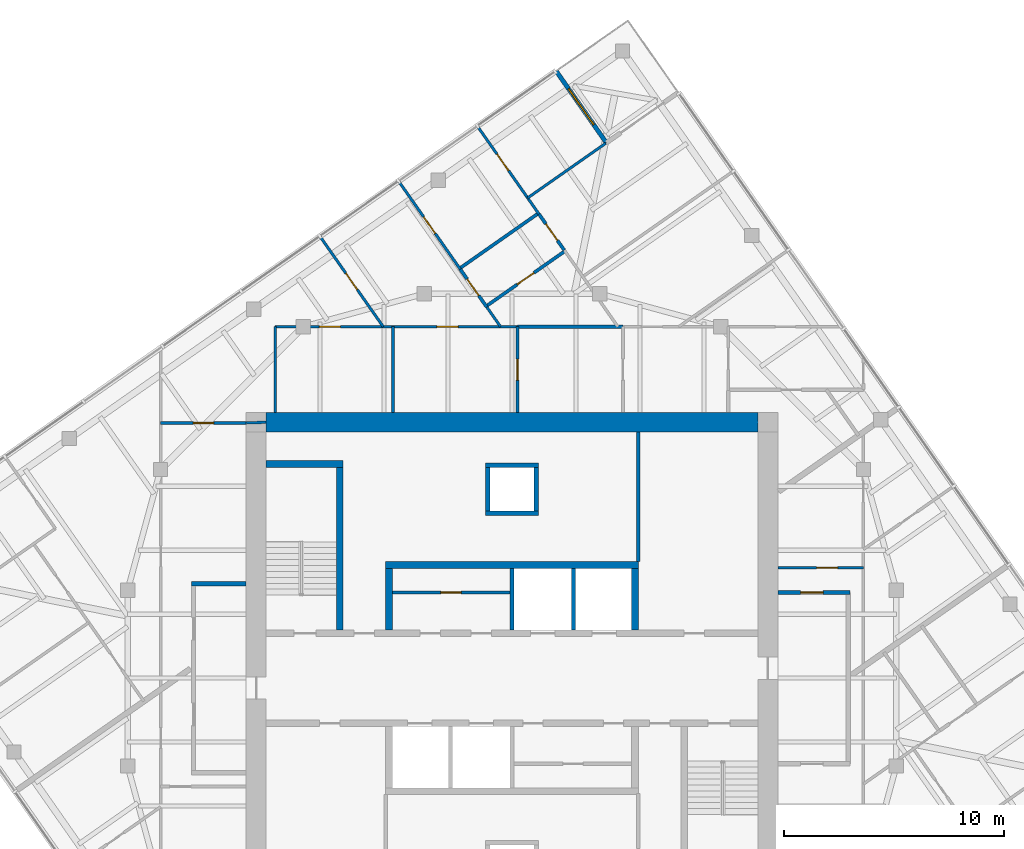
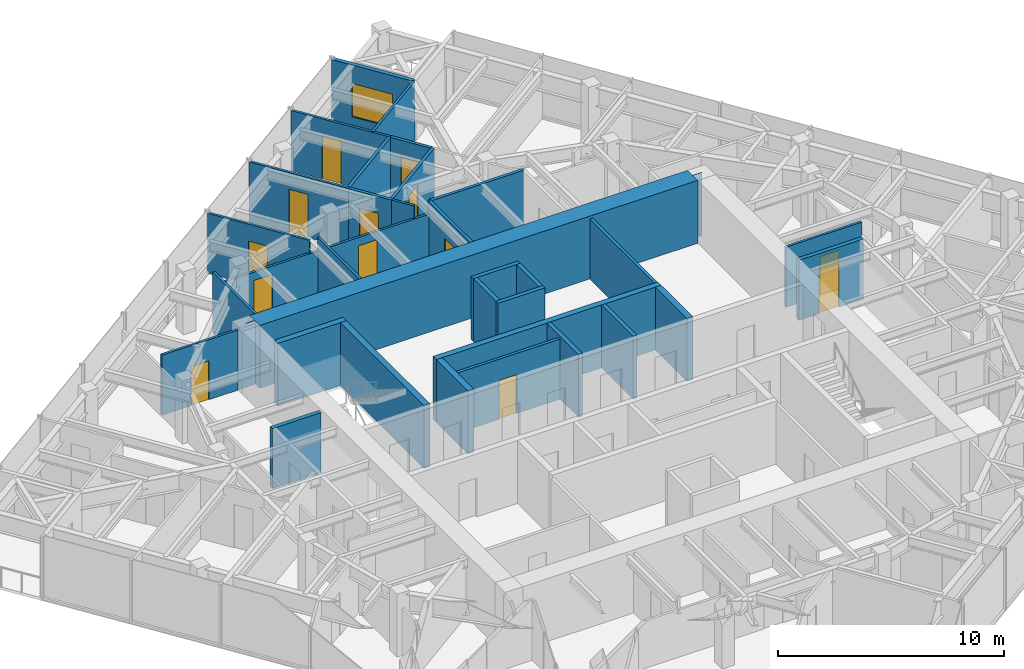
# One storey, part 10 of 12: 34 walls, 13 doors, 1 window, 14 openings.
"""IFC4 building model written with IfcOpenShell, lengths in metres."""

import ifcopenshell
import ifcopenshell.guid

model = None  # the IFC model being written
_history = None  # IfcOwnerHistory: only IFC2X3 demands one
_inside = {}  # id of a spatial element -> (the spatial element, [elements in it])
_under = {}  # id of a project, library or spatial element -> (it, [spatial elements below it])
_declared = {}  # id of a project -> (the project, [libraries it declares])
_typed = {}  # id of a type object -> (the type object, [elements of that type])
_made_of = {}  # id of a material, layer set ... -> (it, [elements and type objects made of it])


def new_model(schema):
    """Start an empty IFC model of exactly this schema.

    Asked for "IFC4X3", IfcOpenShell would pick the latest addendum, in which some entities
    have other attributes; the version numbers below select the first issue.
    IFC2X3 requires an IfcOwnerHistory on every rooted entity: one is made here for all.
    """
    global model, _history
    if schema == "IFC4X3":
        model = ifcopenshell.file(schema_version=(4, 3, 0, 0))
    else:
        model = ifcopenshell.file(schema=schema)
    _inside.clear()
    _under.clear()
    _declared.clear()
    _typed.clear()
    _made_of.clear()
    _history = None
    if model.schema == "IFC2X3":
        org = make("IfcOrganization", Name="unknown")
        user = make(
            "IfcPersonAndOrganization",
            ThePerson=make("IfcPerson", FamilyName="unknown"),
            TheOrganization=org,
        )
        app = make(
            "IfcApplication",
            ApplicationDeveloper=org,
            Version="unknown",
            ApplicationFullName="unknown",
            ApplicationIdentifier="unknown",
        )
        _history = make(
            "IfcOwnerHistory",
            OwningUser=user,
            OwningApplication=app,
            ChangeAction="ADDED",
            CreationDate=0,
        )
    return model


def make(cls, **values):
    """One entity of the class cls with the attributes given. An attribute that is None is left unset."""
    return model.create_entity(
        cls, **{name: value for name, value in values.items() if value is not None}
    )


def rooted(cls, **values):
    """An entity with a GlobalId (a new one), such as an element, a storey or a relation."""
    return make(cls, GlobalId=ifcopenshell.guid.new(), OwnerHistory=_history, **values)


def si_unit(unit_type, name, prefix=None):
    """IfcSIUnit, for example si_unit("LENGTHUNIT", "METRE", prefix="MILLI")."""
    return make("IfcSIUnit", UnitType=unit_type, Prefix=prefix, Name=name)


def assignment(units):
    """IfcUnitAssignment: the units of a project."""
    return None if units is None else make("IfcUnitAssignment", Units=units)


def point(xyz):
    """IfcCartesianPoint."""
    return None if xyz is None else make("IfcCartesianPoint", Coordinates=xyz)


def direction(xyz):
    """IfcDirection."""
    return None if xyz is None else make("IfcDirection", DirectionRatios=xyz)


def frame(location, z_axis=None, x_axis=None):
    """IfcAxis2Placement3D, a coordinate frame: its origin and axes. An axis left out is left unset."""
    return make(
        "IfcAxis2Placement3D",
        Location=point(location),
        Axis=direction(z_axis),
        RefDirection=direction(x_axis),
    )


def frame_2d(location, x_axis=None):
    """IfcAxis2Placement2D, a coordinate frame in the plane: its origin and x axis."""
    return make(
        "IfcAxis2Placement2D", Location=point(location), RefDirection=direction(x_axis)
    )


def origin():
    """The frame at (0, 0, 0) with its axes left unset."""
    return frame((0.0, 0.0, 0.0))


def place(relative_to, where):
    """IfcLocalPlacement: puts the frame where relative to a parent placement (None: the world)."""
    return make(
        "IfcLocalPlacement", PlacementRelTo=relative_to, RelativePlacement=where
    )


def context(
    kind, dimensions, precision=None, world=None, true_north=None, identifier=None
):
    """IfcGeometricRepresentationContext, for example the 3D "Model" context."""
    return make(
        "IfcGeometricRepresentationContext",
        ContextIdentifier=identifier,
        ContextType=kind,
        CoordinateSpaceDimension=dimensions,
        Precision=precision,
        WorldCoordinateSystem=world,
        TrueNorth=true_north,
    )


def subcontext(parent, identifier, kind, view, scale=None):
    """IfcGeometricRepresentationSubContext, for example "Body" below "Model"."""
    return make(
        "IfcGeometricRepresentationSubContext",
        ContextIdentifier=identifier,
        ContextType=kind,
        ParentContext=parent,
        TargetScale=scale,
        TargetView=view,
    )


def project(units=None, contexts=None):
    """IfcProject with its units and contexts."""
    return rooted(
        "IfcProject",
        Name="project",
        RepresentationContexts=contexts,
        UnitsInContext=assignment(units),
    )


def spatial(cls, under=None, at=None, **own):
    """A site, building, storey or space (cls), placed at a placement, below another one or the project."""
    s = rooted(cls, ObjectPlacement=at, **own)
    if under is not None:
        _under.setdefault(under.id(), (under, []))[1].append(s)
    return s


def polyline(points):
    """IfcPolyline through the points."""
    return make("IfcPolyline", Points=[point(p) for p in points])


def profile(cls, at=None, kind="AREA", **sizes):
    """A parametric profile (cls). Its sizes go by their IFC names, for example OverallWidth=200.0."""
    return make(cls, ProfileType=kind, Position=at, **sizes)


def rectangle(**sizes):
    """IfcRectangleProfileDef."""
    return profile("IfcRectangleProfileDef", **sizes)


def outline(outer, holes=None, kind="AREA"):
    """IfcArbitraryClosedProfileDef: a profile drawn as a closed curve; with holes, ...WithVoids."""
    if holes is None:
        return make("IfcArbitraryClosedProfileDef", ProfileType=kind, OuterCurve=outer)
    return make(
        "IfcArbitraryProfileDefWithVoids",
        ProfileType=kind,
        OuterCurve=outer,
        InnerCurves=holes,
    )


def extrude(swept, where, along, depth):
    """IfcExtrudedAreaSolid: the profile swept, set in the frame where, extruded along a direction by depth."""
    return make(
        "IfcExtrudedAreaSolid",
        SweptArea=swept,
        Position=where,
        ExtrudedDirection=direction(along),
        Depth=depth,
    )


def shape(context_of_items, identifier, shape_type, items):
    """IfcShapeRepresentation: the items that make up one representation, for example the "Body"."""
    return make(
        "IfcShapeRepresentation",
        ContextOfItems=context_of_items,
        RepresentationIdentifier=identifier,
        RepresentationType=shape_type,
        Items=items,
    )


def material(Name=None, Category=None):
    """IfcMaterial."""
    return make("IfcMaterial", Name=Name, Category=Category)


def layer(
    of_material, thickness, ventilated=None, Name=None, Category=None, Priority=None
):
    """IfcMaterialLayer: one layer of a wall or slab, of a material (None: an air gap)."""
    return make(
        "IfcMaterialLayer",
        Material=of_material,
        LayerThickness=thickness,
        IsVentilated=ventilated,
        Name=Name,
        Category=Category,
        Priority=Priority,
    )


def layer_set(layers, Name=None):
    """IfcMaterialLayerSet."""
    return make("IfcMaterialLayerSet", MaterialLayers=layers, LayerSetName=Name)


def made_of(thing, what):
    """Note that an element or type object is made of a material, layer set ...; save() writes the relation."""
    if what is not None:
        _made_of.setdefault(what.id(), (what, []))[1].append(thing)
    return thing


def type_object(cls, material=None, **own):
    """A type object (cls), such as IfcWallType, which elements share."""
    return made_of(rooted(cls, **own), material)


def element(
    cls,
    number,
    at=None,
    inside=None,
    cuts=None,
    type_object=None,
    material=None,
    context=None,
    identifier="Body",
    shape_type=None,
    held_by="IfcProductDefinitionShape",
    body=None,
    shapes=None,
    **own,
):
    """One element of the class cls, such as IfcWall. Its Tag is "e" and its number.

    at: its placement. inside: the storey or other place that contains it. cuts: it is an
    opening in that element (IfcRelVoidsElement). A single representation is given by context,
    identifier, shape_type and body (its items); several are given by shapes. held_by: the class
    of the entity that holds the representations. save() writes the other relations.
    """
    e = rooted(cls, Tag="e%d" % number, ObjectPlacement=at, **own)
    if body is not None:
        shapes = [shape(context, identifier, shape_type, body)]
    if shapes is not None:
        e.Representation = make(held_by, Representations=shapes)
    if inside is not None:
        _inside.setdefault(inside.id(), (inside, []))[1].append(e)
    if cuts is not None:
        rooted(
            "IfcRelVoidsElement", RelatingBuildingElement=cuts, RelatedOpeningElement=e
        )
    if type_object is not None:
        _typed.setdefault(type_object.id(), (type_object, []))[1].append(e)
    return made_of(e, material)


def fill(opening, filler):
    """IfcRelFillsElement: the door or window that sits in an opening."""
    return rooted(
        "IfcRelFillsElement",
        RelatingOpeningElement=opening,
        RelatedBuildingElement=filler,
    )


def aggregate(whole, parts):
    """IfcRelAggregates: a whole, such as a stair, and the parts it consists of."""
    return rooted("IfcRelAggregates", RelatingObject=whole, RelatedObjects=parts)


def save(model, path):
    """Write the relations noted so far, then the file.

    IfcRelAggregates (storeys below a building ...), IfcRelContainedInSpatialStructure (elements
    in a storey), IfcRelDefinesByType, IfcRelAssociatesMaterial and IfcRelDeclares: one each for
    every whole, place, type object, material and project.
    """
    for whole, parts in _under.values():
        aggregate(whole, parts)
    for where, things in _inside.values():
        rooted(
            "IfcRelContainedInSpatialStructure",
            RelatedElements=things,
            RelatingStructure=where,
        )
    for kind, things in _typed.values():
        rooted("IfcRelDefinesByType", RelatedObjects=things, RelatingType=kind)
    for what, things in _made_of.values():
        rooted("IfcRelAssociatesMaterial", RelatedObjects=things, RelatingMaterial=what)
    for by, libraries in _declared.values():
        rooted("IfcRelDeclares", RelatingContext=by, RelatedDefinitions=libraries)
    model.write(path)


model = new_model("IFC4")

# Units and contexts
model_context = context("Model", 3, precision=1e-05, world=origin(), true_north=direction((0.0, 1.0)))
body_context = subcontext(model_context, "Body", "Model", "MODEL_VIEW")
ifc_project = project(units=[si_unit("LENGTHUNIT", "METRE"), si_unit("AREAUNIT", "SQUARE_METRE"), si_unit("VOLUMEUNIT", "CUBIC_METRE"), si_unit("PLANEANGLEUNIT", "RADIAN"), si_unit("MASSUNIT", "GRAM", prefix="KILO")], contexts=[model_context])

# Site, building, storey
site_placement = place(None, origin())
site = spatial("IfcSite", under=ifc_project, at=site_placement, CompositionType="ELEMENT")
building_placement = place(site_placement, origin())
building = spatial("IfcBuilding", under=site, at=building_placement, Name="Torsade Residences", CompositionType="ELEMENT")
storey_placement = place(building_placement, frame((0.0, 0.0, 257.39990234375)))
storey = spatial("IfcBuildingStorey", under=building, at=storey_placement, Name="L71", CompositionType="ELEMENT", Elevation=257.39990234375)

# Walls
ifc_material_1 = material(Name="Concrete 80 MPa", Category="concrete")
ifc_layer_1 = layer(ifc_material_1, 0.300048828125)
ifc_layer_set_1 = layer_set([ifc_layer_1], Name="Concrete 80 MPa")
wall_type_1 = type_object("IfcWallType", Name="CORE INTERNAL WALL 300", PredefinedType="SHEAR", material=ifc_layer_set_1)
wall_1_placement = place(storey_placement, frame((34.25, 35.14990234375, 0.0), z_axis=(0.0, 0.0, 1.0), x_axis=(1.0, 0.0, 0.0)))
element("IfcWall", 1, at=wall_1_placement, inside=storey, type_object=wall_type_1, Name="Core wall BN L71", PredefinedType="SHEAR", context=body_context, shape_type="SweptSolid", body=[
    extrude(rectangle(XDim=11.5, YDim=0.300048828125, at=frame_2d((5.75, 0.0))), origin(), (0.0, 0.0, 1.0), 3.400146484375),
])
for number, where, z_axis, x_axis, name in (
    (2, (34.39990234375, 32.199951171875, 0.0), (0.0, 0.0, 1.0), (0.0, 1.0, 0.0), "Core wall DN0 L71"),
    (3, (45.60009765625, 32.199951171875, 0.0), (0.0, 0.0, 1.0), (0.0, 1.0, 0.0), "Core wall DN4 L71"),
):
    element("IfcWall", number, at=place(storey_placement, frame(where, z_axis=z_axis, x_axis=x_axis)), inside=storey, type_object=wall_type_1, Name=name, PredefinedType="SHEAR", context=body_context, shape_type="SweptSolid", body=[
        extrude(rectangle(XDim=2.800048828125, YDim=0.300048828125, at=frame_2d((1.39990234375, 0.0))), origin(), (0.0, 0.0, 1.0), 3.400146484375),
    ])
wall_2_placement = place(storey_placement, frame((32.14990234375, 32.199951171875, 0.0), z_axis=(0.0, 0.0, 1.0), x_axis=(0.0, 1.0, 0.0)))
element("IfcWall", 4, at=wall_2_placement, inside=storey, type_object=wall_type_1, Name="Core wall ST1E L71", PredefinedType="SHEAR", context=body_context, shape_type="SweptSolid", body=[
    extrude(rectangle(XDim=7.699951171875, YDim=0.300048828125, at=frame_2d((3.85009765625, 0.0))), origin(), (0.0, 0.0, 1.0), 3.400146484375),
])
wall_3_placement = place(storey_placement, frame((28.800048828125, 39.75, 0.0), z_axis=(0.0, 0.0, 1.0), x_axis=(1.0, 0.0, 0.0)))
element("IfcWall", 5, at=wall_3_placement, inside=storey, type_object=wall_type_1, Name="Core wall ST1N L71", PredefinedType="SHEAR", context=body_context, shape_type="SweptSolid", body=[
    extrude(rectangle(XDim=3.5, YDim=0.300048828125, at=frame_2d((1.75, 0.0))), origin(), (0.0, 0.0, 1.0), 3.400146484375),
])
ifc_material_2 = material(Name="Concrete 80 MPa", Category="concrete")
ifc_layer_2 = layer(ifc_material_2, 0.89990234375)
ifc_layer_set_2 = layer_set([ifc_layer_2], Name="Concrete 80 MPa")
wall_type_2 = type_object("IfcWallType", Name="CORE WALL 900", PredefinedType="SHEAR", material=ifc_layer_set_2)
wall_4_placement = place(storey_placement, frame((28.800048828125, 41.64990234375, 0.0), z_axis=(0.0, 0.0, 1.0), x_axis=(1.0, 0.0, 0.0)))
element("IfcWall", 6, at=wall_4_placement, inside=storey, type_object=wall_type_2, Name="Core wall N L71", PredefinedType="SHEAR", context=body_context, shape_type="SweptSolid", body=[
    extrude(outline(polyline([(0.0, -0.449951171875), (22.39990234375, -0.449951171875), (22.39990234375, -0.02490234375), (22.849853515625, -0.02490234375), (22.849853515625, 0.02490234375), (22.39990234375, 0.02490234375), (22.39990234375, 0.449951171875), (0.0, 0.449951171875), (0.0, 0.02490234375), (-0.449951171875, 0.02490234375), (-0.449951171875, -0.02490234375), (0.0, -0.02490234375), (0.0, -0.449951171875)])), origin(), (0.0, 0.0, 1.0), 3.400146484375),
])

# Wall, opening, door
ifc_material_3 = material(Name="Plasterboard on steel stud", Category="steel")
ifc_layer_3 = layer(ifc_material_3, 0.199951171875)
ifc_layer_set_3 = layer_set([ifc_layer_3], Name="Plasterboard on steel stud")
wall_type_3 = type_object("IfcWallType", Name="CORRIDOR WALL 200", PredefinedType="PARTITIONING", material=ifc_layer_set_3)
wall_5_placement = place(storey_placement, frame((52.10009765625, 33.89990234375, 0.0), z_axis=(0.0, 0.0, 1.0), x_axis=(1.0, 0.0, 0.0)))
wall_5 = element("IfcWall", 7, at=wall_5_placement, inside=storey, type_object=wall_type_3, Name="Corridor wall L71", PredefinedType="PARTITIONING", context=body_context, shape_type="SweptSolid", body=[
    extrude(rectangle(XDim=3.2998046875, YDim=0.199951171875, at=frame_2d((1.64990234375, 0.0))), origin(), (0.0, 0.0, 1.0), 3.25),
])
opening_1_placement = place(wall_5_placement, frame((1.0400390625, 0.0, 0.0)))
opening_1 = element("IfcOpeningElement", 8, at=opening_1_placement, cuts=wall_5, Name="Opening D01", PredefinedType="OPENING", context=body_context, shape_type="SweptSolid", body=[
    extrude(rectangle(XDim=1.02001953125, YDim=2.340087890625, at=frame_2d((0.510009765625, 1.169921875))), frame((0.0, 0.10986328125, 0.0), z_axis=(0.0, -1.0, 0.0), x_axis=(1.0, 0.0, 0.0)), (0.0, 0.0, 1.0), 0.219970703125),
])
ifc_material_4 = material(Name="Solid-core timber fire door", Category="wood")
door_type_1 = type_object("IfcDoorType", Name="APARTMENT ENTRY DOOR 1020x2340", OperationType="NOTDEFINED", PredefinedType="DOOR", material=ifc_material_4)
door_1_placement = place(opening_1_placement, origin())
door_1 = element("IfcDoor", 9, at=door_1_placement, inside=storey, type_object=door_type_1, Name="Door Residential corridor to Kitchen and dining", OperationType="SINGLE_SWING_LEFT", OverallHeight=2.340087890625, OverallWidth=1.02001953125, PredefinedType="DOOR", context=body_context, shape_type="SweptSolid", body=[
    extrude(rectangle(XDim=1.02001953125, YDim=2.340087890625, at=frame_2d((0.510009765625, 1.169921875))), frame((0.0, 0.02490234375, 0.0), z_axis=(0.0, -1.0, 0.0), x_axis=(1.0, 0.0, 0.0)), (0.0, 0.0, 1.0), 0.050048828125),
])
fill(opening_1, door_1)

# Walls
wall_6_placement = place(storey_placement, frame((27.89990234375, 34.300048828125, 0.0), z_axis=(0.0, 0.0, 1.0), x_axis=(-1.0, 0.0, 0.0)))
element("IfcWall", 10, at=wall_6_placement, inside=storey, type_object=wall_type_3, Name="Corridor wall L71", PredefinedType="PARTITIONING", context=body_context, shape_type="SweptSolid", body=[
    extrude(rectangle(XDim=2.5, YDim=0.199951171875, at=frame_2d((1.25, 0.0))), origin(), (0.0, 0.0, 1.0), 3.25),
])
ifc_material_5 = material(Name="Reinforced blockwork", Category="masonry")
ifc_layer_4 = layer(ifc_material_5, 0.199951171875)
ifc_layer_set_4 = layer_set([ifc_layer_4], Name="Reinforced blockwork")
wall_type_4 = type_object("IfcWallType", Name="LIFT SHAFT DIVIDING WALL 200", PredefinedType="SOLIDWALL", material=ifc_layer_set_4)
for number, where, z_axis, x_axis, name in (
    (11, (40.0, 32.199951171875, 0.0), (0.0, 0.0, 1.0), (0.0, 1.0, 0.0), "Core wall DN2 L71"),
    (12, (42.800048828125, 32.199951171875, 0.0), (0.0, 0.0, 1.0), (0.0, 1.0, 0.0), "Core wall DN3 L71"),
):
    element("IfcWall", number, at=place(storey_placement, frame(where, z_axis=z_axis, x_axis=x_axis)), inside=storey, type_object=wall_type_4, Name=name, PredefinedType="SOLIDWALL", context=body_context, shape_type="SweptSolid", body=[
        extrude(rectangle(XDim=2.800048828125, YDim=0.199951171875, at=frame_2d((1.39990234375, 0.0))), origin(), (0.0, 0.0, 1.0), 3.400146484375),
    ])

# Wall, opening, door
ifc_material_6 = material(Name="Plasterboard on steel stud", Category="steel")
ifc_layer_5 = layer(ifc_material_6, 0.1201171875)
ifc_layer_set_5 = layer_set([ifc_layer_5], Name="Plasterboard on steel stud")
wall_type_5 = type_object("IfcWallType", Name="PARTITION 120", PredefinedType="PARTITIONING", material=ifc_layer_set_5)
wall_7_placement = place(storey_placement, frame((52.10009765625, 35.02197265625, 0.0), z_axis=(0.0, 0.0, 1.0), x_axis=(1.0, 0.0, 0.0)))
wall_7 = element("IfcWall", 13, at=wall_7_placement, inside=storey, type_object=wall_type_5, Name="Partition L71", PredefinedType="PARTITIONING", context=body_context, shape_type="SweptSolid", body=[
    extrude(rectangle(XDim=3.89990234375, YDim=0.1201171875, at=frame_2d((1.949951171875, 0.0))), origin(), (0.0, 0.0, 1.0), 3.25),
])
opening_2_placement = place(wall_7_placement, frame((1.77001953125, 0.0, 0.0)))
opening_2 = element("IfcOpeningElement", 14, at=opening_2_placement, cuts=wall_7, Name="Opening D05", PredefinedType="OPENING", context=body_context, shape_type="SweptSolid", body=[
    extrude(rectangle(XDim=0.9599609375, YDim=2.10009765625, at=frame_2d((0.47998046875, 1.050048828125))), frame((0.0, 0.070068359375, 0.0), z_axis=(0.0, -1.0, 0.0), x_axis=(1.0, 0.0, 0.0)), (0.0, 0.0, 1.0), 0.14013671875),
])
ifc_material_7 = material(Name="Hollow-core timber door in a steel cavity frame", Category="steel")
door_type_2 = type_object("IfcDoorType", Name="BATHROOM CAVITY SLIDING DOOR 960", OperationType="SLIDING_TO_LEFT", PredefinedType="DOOR", material=ifc_material_7)
door_2_placement = place(opening_2_placement, origin())
door_2 = element("IfcDoor", 15, at=door_2_placement, inside=storey, type_object=door_type_2, Name="Door Kitchen and dining to Bathroom", OperationType="SLIDING_TO_LEFT", OverallHeight=2.10009765625, OverallWidth=0.9599609375, PredefinedType="DOOR", context=body_context, shape_type="SweptSolid", body=[
    extrude(rectangle(XDim=0.9599609375, YDim=2.10009765625, at=frame_2d((0.47998046875, 1.050048828125))), frame((0.0, 0.02490234375, 0.0), z_axis=(0.0, -1.0, 0.0), x_axis=(1.0, 0.0, 0.0)), (0.0, 0.0, 1.0), 0.050048828125),
])
fill(opening_2, door_2)

wall_8_placement = place(storey_placement, frame((24.0, 41.61865234375, 0.0), z_axis=(0.0, 0.0, 1.0), x_axis=(1.0, 0.0, 0.0)))
wall_8 = element("IfcWall", 16, at=wall_8_placement, inside=storey, type_object=wall_type_5, Name="Partition L71", PredefinedType="PARTITIONING", context=body_context, shape_type="SweptSolid", body=[
    extrude(rectangle(XDim=3.89990234375, YDim=0.1201171875, at=frame_2d((1.949951171875, 0.0))), origin(), (0.0, 0.0, 1.0), 3.25),
])
opening_3_placement = place(wall_8_placement, frame((1.489990234375, 0.0, 0.0)))
opening_3 = element("IfcOpeningElement", 17, at=opening_3_placement, cuts=wall_8, Name="Opening D02L", PredefinedType="OPENING", context=body_context, shape_type="SweptSolid", body=[
    extrude(rectangle(XDim=0.919921875, YDim=2.10009765625, at=frame_2d((0.4599609375, 1.050048828125))), frame((0.0, 0.070068359375, 0.0), z_axis=(0.0, -1.0, 0.0), x_axis=(1.0, 0.0, 0.0)), (0.0, 0.0, 1.0), 0.14013671875),
])
ifc_material_8 = material(Name="Hollow-core timber door", Category="wood")
door_type_3 = type_object("IfcDoorType", Name="INTERNAL DOOR 920x2100", OperationType="NOTDEFINED", PredefinedType="DOOR", material=ifc_material_8)
door_3_placement = place(opening_3_placement, origin())
door_3 = element("IfcDoor", 18, at=door_3_placement, inside=storey, type_object=door_type_3, Name="Door Kitchen and dining to Dining room", OperationType="SINGLE_SWING_RIGHT", OverallHeight=2.10009765625, OverallWidth=0.919921875, PredefinedType="DOOR", context=body_context, shape_type="SweptSolid", body=[
    extrude(rectangle(XDim=0.919921875, YDim=2.10009765625, at=frame_2d((0.4599609375, 1.050048828125))), frame((0.0, 0.02490234375, 0.0), z_axis=(0.0, -1.0, 0.0), x_axis=(1.0, 0.0, 0.0)), (0.0, 0.0, 1.0), 0.050048828125),
])
fill(opening_3, door_3)

# Wall
wall_9_placement = place(storey_placement, frame((34.583251953125, 46.0, 0.0), z_axis=(0.0, 0.0, 1.0), x_axis=(0.0, -1.0, 0.0)))
element("IfcWall", 19, at=wall_9_placement, inside=storey, type_object=wall_type_5, Name="Partition L71", PredefinedType="PARTITIONING", context=body_context, shape_type="SweptSolid", body=[
    extrude(rectangle(XDim=3.89990234375, YDim=0.1201171875, at=frame_2d((1.949951171875, 0.0))), origin(), (0.0, 0.0, 1.0), 3.25),
])

# Wall, openings, doors
wall_10_placement = place(storey_placement, frame((29.218505859375, 46.0, 0.0), z_axis=(0.0, 0.0, 1.0), x_axis=(1.0, 0.0, 0.0)))
wall_10 = element("IfcWall", 20, at=wall_10_placement, inside=storey, type_object=wall_type_5, Name="Partition L71", PredefinedType="PARTITIONING", context=body_context, shape_type="SweptSolid", body=[
    extrude(rectangle(XDim=11.0341796875, YDim=0.1201171875, at=frame_2d((5.51708984375, 0.0))), origin(), (0.0, 0.0, 1.0), 2.550048828125),
])
opening_4_placement = place(wall_10_placement, frame((2.010009765625, 0.0, 0.0)))
opening_4 = element("IfcOpeningElement", 21, at=opening_4_placement, cuts=wall_10, Name="Opening D05", PredefinedType="OPENING", context=body_context, shape_type="SweptSolid", body=[
    extrude(rectangle(XDim=0.9599609375, YDim=2.10009765625, at=frame_2d((0.47998046875, 1.050048828125))), frame((0.0, 0.070068359375, 0.0), z_axis=(0.0, -1.0, 0.0), x_axis=(1.0, 0.0, 0.0)), (0.0, 0.0, 1.0), 0.14013671875),
])
opening_5_placement = place(wall_10_placement, frame((7.363037109375, 0.0, 0.0)))
opening_5 = element("IfcOpeningElement", 22, at=opening_5_placement, cuts=wall_10, Name="Opening D05", PredefinedType="OPENING", context=body_context, shape_type="SweptSolid", body=[
    extrude(rectangle(XDim=0.9599609375, YDim=2.10009765625, at=frame_2d((0.47998046875, 1.050048828125))), frame((0.0, 0.070068359375, 0.0), z_axis=(0.0, -1.0, 0.0), x_axis=(1.0, 0.0, 0.0)), (0.0, 0.0, 1.0), 0.14013671875),
])
door_4_placement = place(opening_4_placement, origin())
door_4 = element("IfcDoor", 23, at=door_4_placement, inside=storey, type_object=door_type_2, Name="Door Dining room to Bathroom", OperationType="SLIDING_TO_LEFT", OverallHeight=2.10009765625, OverallWidth=0.9599609375, PredefinedType="DOOR", context=body_context, shape_type="SweptSolid", body=[
    extrude(rectangle(XDim=0.9599609375, YDim=2.10009765625, at=frame_2d((0.47998046875, 1.050048828125))), frame((0.0, 0.02490234375, 0.0), z_axis=(0.0, -1.0, 0.0), x_axis=(1.0, 0.0, 0.0)), (0.0, 0.0, 1.0), 0.050048828125),
])
fill(opening_4, door_4)
door_5_placement = place(opening_5_placement, origin())
door_5 = element("IfcDoor", 24, at=door_5_placement, inside=storey, type_object=door_type_2, Name="Door Study 2 to Ensuite", OperationType="SLIDING_TO_LEFT", OverallHeight=2.10009765625, OverallWidth=0.9599609375, PredefinedType="DOOR", context=body_context, shape_type="SweptSolid", body=[
    extrude(rectangle(XDim=0.9599609375, YDim=2.10009765625, at=frame_2d((0.47998046875, 1.050048828125))), frame((0.0, 0.02490234375, 0.0), z_axis=(0.0, -1.0, 0.0), x_axis=(1.0, 0.0, 0.0)), (0.0, 0.0, 1.0), 0.050048828125),
])
fill(opening_5, door_5)

# Wall
wall_11_placement = place(storey_placement, frame((29.218505859375, 42.10009765625, 0.0), z_axis=(0.0, 0.0, 1.0), x_axis=(0.0, 1.0, 0.0)))
element("IfcWall", 25, at=wall_11_placement, inside=storey, type_object=wall_type_5, Name="Partition L71", PredefinedType="PARTITIONING", context=body_context, shape_type="SweptSolid", body=[
    extrude(rectangle(XDim=3.89990234375, YDim=0.1201171875, at=frame_2d((1.949951171875, 0.0))), origin(), (0.0, 0.0, 1.0), 3.25),
])

# Wall, opening, door
wall_12_placement = place(storey_placement, frame((41.232177734375, 51.123046875, 0.0), z_axis=(0.0, 0.0, 1.0), x_axis=(-0.573586984922, 0.819144657999, 0.0)))
wall_12 = element("IfcWall", 26, at=wall_12_placement, inside=storey, type_object=wall_type_5, Name="Partition L71", PredefinedType="PARTITIONING", context=body_context, shape_type="SweptSolid", body=[
    extrude(rectangle(XDim=4.86376953125, YDim=0.1201171875, at=frame_2d((2.431884765625, 0.0))), origin(), (0.0, 0.0, 1.0), 3.25),
])
opening_6_placement = place(wall_12_placement, frame((2.418701171875, 0.0, 0.0)))
opening_6 = element("IfcOpeningElement", 27, at=opening_6_placement, cuts=wall_12, Name="Opening D02", PredefinedType="OPENING", context=body_context, shape_type="SweptSolid", body=[
    extrude(rectangle(XDim=0.919921875, YDim=2.340087890625, at=frame_2d((0.4599609375, 1.169921875))), frame((0.0, 0.070068359375, 0.0), z_axis=(0.0, -1.0, 0.0), x_axis=(1.0, 0.0, 0.0)), (0.0, 0.0, 1.0), 0.14013671875),
])
ifc_material_9 = material(Name="Hollow-core timber door", Category="wood")
door_type_4 = type_object("IfcDoorType", Name="INTERNAL DOOR 920x2340", OperationType="NOTDEFINED", PredefinedType="DOOR", material=ifc_material_9)
door_6_placement = place(opening_6_placement, origin())
door_6 = element("IfcDoor", 28, at=door_6_placement, inside=storey, type_object=door_type_4, Name="Door Family room to Study 3", OperationType="SINGLE_SWING_LEFT", OverallHeight=2.340087890625, OverallWidth=0.919921875, PredefinedType="DOOR", context=body_context, shape_type="SweptSolid", body=[
    extrude(rectangle(XDim=0.919921875, YDim=2.340087890625, at=frame_2d((0.4599609375, 1.169921875))), frame((0.0, 0.02490234375, 0.0), z_axis=(0.0, -1.0, 0.0), x_axis=(1.0, 0.0, 0.0)), (0.0, 0.0, 1.0), 0.050048828125),
])
fill(opening_6, door_6)

# Wall
wall_13_placement = place(storey_placement, frame((40.7138671875, 51.86328125, 0.0), z_axis=(0.0, 0.0, 1.0), x_axis=(0.819139307094, 0.573594626521, 0.0)))
element("IfcWall", 29, at=wall_13_placement, inside=storey, type_object=wall_type_5, Name="Partition L71", PredefinedType="PARTITIONING", context=body_context, shape_type="SweptSolid", body=[
    extrude(rectangle(XDim=4.3349609375, YDim=0.1201171875, at=frame_2d((2.16748046875, 0.0))), origin(), (0.0, 0.0, 1.0), 3.25),
])

# Wall, opening, door
wall_14_placement = place(storey_placement, frame((34.858642578125, 52.597900390625, 0.0), z_axis=(0.0, 0.0, 1.0), x_axis=(0.573586984922, -0.819144657999, 0.0)))
wall_14 = element("IfcWall", 30, at=wall_14_placement, inside=storey, type_object=wall_type_5, Name="Partition L71", PredefinedType="PARTITIONING", context=body_context, shape_type="SweptSolid", body=[
    extrude(rectangle(XDim=4.86376953125, YDim=0.1201171875, at=frame_2d((2.431884765625, 0.0))), origin(), (0.0, 0.0, 1.0), 3.25),
])
opening_7_placement = place(wall_14_placement, frame((1.951904296875, 0.0, 0.0)))
opening_7 = element("IfcOpeningElement", 31, at=opening_7_placement, cuts=wall_14, Name="Opening D02", PredefinedType="OPENING", context=body_context, shape_type="SweptSolid", body=[
    extrude(rectangle(XDim=0.919921875, YDim=2.340087890625, at=frame_2d((0.4599609375, 1.169921875))), frame((0.0, 0.070068359375, 0.0), z_axis=(0.0, -1.0, 0.0), x_axis=(1.0, 0.0, 0.0)), (0.0, 0.0, 1.0), 0.14013671875),
])
door_7_placement = place(opening_7_placement, origin())
door_7 = element("IfcDoor", 32, at=door_7_placement, inside=storey, type_object=door_type_4, Name="Door Study 2 to Family room", OperationType="SINGLE_SWING_RIGHT", OverallHeight=2.340087890625, OverallWidth=0.919921875, PredefinedType="DOOR", context=body_context, shape_type="SweptSolid", body=[
    extrude(rectangle(XDim=0.919921875, YDim=2.340087890625, at=frame_2d((0.4599609375, 1.169921875))), frame((0.0, 0.02490234375, 0.0), z_axis=(0.0, -1.0, 0.0), x_axis=(1.0, 0.0, 0.0)), (0.0, 0.0, 1.0), 0.050048828125),
])
fill(opening_7, door_7)

# Wall
wall_15_placement = place(storey_placement, frame((38.853515625, 46.892333984375, 0.0), z_axis=(0.0, 0.0, 1.0), x_axis=(0.57368792347, -0.81907396886, 0.0)))
element("IfcWall", 33, at=wall_15_placement, inside=storey, type_object=wall_type_5, Name="Partition L71", PredefinedType="PARTITIONING", context=body_context, shape_type="SweptSolid", body=[
    extrude(rectangle(XDim=1.08935546875, YDim=0.1201171875, at=frame_2d((0.544677734375, 0.0))), origin(), (0.0, 0.0, 1.0), 3.25),
])

# Wall, opening, door
wall_16_placement = place(storey_placement, frame((34.1376953125, 46.0, 0.0), z_axis=(0.0, 0.0, 1.0), x_axis=(-0.57358708951, 0.819144584763, 0.0)))
wall_16 = element("IfcWall", 34, at=wall_16_placement, inside=storey, type_object=wall_type_5, Name="Partition L71", PredefinedType="PARTITIONING", context=body_context, shape_type="SweptSolid", body=[
    extrude(rectangle(XDim=4.990966796875, YDim=0.1201171875, at=frame_2d((2.49560546875, 0.0))), origin(), (0.0, 0.0, 1.0), 3.25),
])
opening_8_placement = place(wall_16_placement, frame((2.055419921875, 0.0, 0.0)))
opening_8 = element("IfcOpeningElement", 35, at=opening_8_placement, cuts=wall_16, Name="Opening D02", PredefinedType="OPENING", context=body_context, shape_type="SweptSolid", body=[
    extrude(rectangle(XDim=0.919921875, YDim=2.340087890625, at=frame_2d((0.4599609375, 1.169921875))), frame((0.0, 0.070068359375, 0.0), z_axis=(0.0, -1.0, 0.0), x_axis=(1.0, 0.0, 0.0)), (0.0, 0.0, 1.0), 0.14013671875),
])
door_8_placement = place(opening_8_placement, origin())
door_8 = element("IfcDoor", 36, at=door_8_placement, inside=storey, type_object=door_type_4, Name="Door Dining room to Study 2", OperationType="SINGLE_SWING_LEFT", OverallHeight=2.340087890625, OverallWidth=0.919921875, PredefinedType="DOOR", context=body_context, shape_type="SweptSolid", body=[
    extrude(rectangle(XDim=0.919921875, YDim=2.340087890625, at=frame_2d((0.4599609375, 1.169921875))), frame((0.0, 0.02490234375, 0.0), z_axis=(0.0, -1.0, 0.0), x_axis=(1.0, 0.0, 0.0)), (0.0, 0.0, 1.0), 0.050048828125),
])
fill(opening_8, door_8)

# Walls
wall_17_placement = place(storey_placement, frame((27.89990234375, 41.61865234375, 0.0), z_axis=(0.0, 0.0, 1.0), x_axis=(0.999397924003, 0.034695669724, 0.0)))
element("IfcWall", 37, at=wall_17_placement, inside=storey, type_object=wall_type_5, Name="Partition L71", PredefinedType="PARTITIONING", context=body_context, shape_type="SweptSolid", body=[
    extrude(rectangle(XDim=0.900634765625, YDim=0.1201171875, at=frame_2d((0.4501953125, 0.0))), origin(), (0.0, 0.0, 1.0), 3.25),
])
ifc_material_10 = material(Name="Reinforced blockwork", Category="masonry")
ifc_layer_6 = layer(ifc_material_10, 0.199951171875)
ifc_layer_set_6 = layer_set([ifc_layer_6], Name="Reinforced blockwork")
wall_type_6 = type_object("IfcWallType", Name="RISER SHAFT WALL 200", PredefinedType="SOLIDWALL", material=ifc_layer_set_6)
for number, where, z_axis, x_axis, name in (
    (38, (38.89990234375, 37.60009765625, 0.0), (0.0, 0.0, 1.0), (0.0, 1.0, 0.0), "Core wall RS1a L71"),
    (39, (41.10009765625, 37.60009765625, 0.0), (0.0, 0.0, 1.0), (0.0, 1.0, 0.0), "Core wall RS1b L71"),
):
    element("IfcWall", number, at=place(storey_placement, frame(where, z_axis=z_axis, x_axis=x_axis)), inside=storey, type_object=wall_type_6, Name=name, PredefinedType="SOLIDWALL", context=body_context, shape_type="SweptSolid", body=[
        extrude(rectangle(XDim=2.0, YDim=0.199951171875, at=frame_2d((1.0, 0.0))), origin(), (0.0, 0.0, 1.0), 3.400146484375),
    ])
for number, where, z_axis, x_axis, name in (
    (40, (38.800048828125, 37.5, 0.0), (0.0, 0.0, 1.0), (1.0, 0.0, 0.0), "Core wall RS1c L71"),
    (41, (38.800048828125, 39.699951171875, 0.0), (0.0, 0.0, 1.0), (1.0, 0.0, 0.0), "Core wall RS1d L71"),
):
    element("IfcWall", number, at=place(storey_placement, frame(where, z_axis=z_axis, x_axis=x_axis)), inside=storey, type_object=wall_type_6, Name=name, PredefinedType="SOLIDWALL", context=body_context, shape_type="SweptSolid", body=[
        extrude(rectangle(XDim=2.39990234375, YDim=0.199951171875, at=frame_2d((1.199951171875, 0.0))), origin(), (0.0, 0.0, 1.0), 3.400146484375),
    ])
ifc_material_11 = material(Name="Reinforced blockwork", Category="masonry")
ifc_layer_7 = layer(ifc_material_11, 0.14990234375)
ifc_layer_set_7 = layer_set([ifc_layer_7], Name="Reinforced blockwork")
wall_type_7 = type_object("IfcWallType", Name="SERVICE ROOM WALL 150", PredefinedType="SOLIDWALL", material=ifc_layer_set_7)
wall_18_placement = place(storey_placement, frame((45.75, 41.199951171875, 0.0), z_axis=(0.0, 0.0, 1.0), x_axis=(0.0, -1.0, 0.0)))
element("IfcWall", 42, at=wall_18_placement, inside=storey, type_object=wall_type_7, Name="Service room wall L71", PredefinedType="SOLIDWALL", context=body_context, shape_type="SweptSolid", body=[
    extrude(rectangle(XDim=5.89990234375, YDim=0.14990234375, at=frame_2d((2.949951171875, 0.0))), origin(), (0.0, 0.0, 1.0), 3.25),
])

# Wall, opening, door
wall_19_placement = place(storey_placement, frame((40.252685546875, 46.0, 0.0), z_axis=(0.0, 0.0, 1.0), x_axis=(0.0, -1.0, 0.0)))
wall_19 = element("IfcWall", 43, at=wall_19_placement, inside=storey, type_object=wall_type_7, Name="Service room wall L71", PredefinedType="SOLIDWALL", context=body_context, shape_type="SweptSolid", body=[
    extrude(rectangle(XDim=3.89990234375, YDim=0.14990234375, at=frame_2d((1.949951171875, 0.0))), origin(), (0.0, 0.0, 1.0), 3.25),
])
opening_9_placement = place(wall_19_placement, frame((1.469970703125, 0.0, 0.0)))
opening_9 = element("IfcOpeningElement", 44, at=opening_9_placement, cuts=wall_19, Name="Opening D05", PredefinedType="OPENING", context=body_context, shape_type="SweptSolid", body=[
    extrude(rectangle(XDim=0.9599609375, YDim=2.10009765625, at=frame_2d((0.47998046875, 1.050048828125))), frame((0.0, 0.0849609375, 0.0), z_axis=(0.0, -1.0, 0.0), x_axis=(1.0, 0.0, 0.0)), (0.0, 0.0, 1.0), 0.169921875),
])
door_9_placement = place(opening_9_placement, origin())
door_9 = element("IfcDoor", 45, at=door_9_placement, inside=storey, type_object=door_type_2, Name="Door Ensuite to Linen store", OperationType="SLIDING_TO_LEFT", OverallHeight=2.10009765625, OverallWidth=0.9599609375, PredefinedType="DOOR", context=body_context, shape_type="SweptSolid", body=[
    extrude(rectangle(XDim=0.9599609375, YDim=2.10009765625, at=frame_2d((0.47998046875, 1.050048828125))), frame((0.0, 0.02490234375, 0.0), z_axis=(0.0, -1.0, 0.0), x_axis=(1.0, 0.0, 0.0)), (0.0, 0.0, 1.0), 0.050048828125),
])
fill(opening_9, door_9)

# Wall
wall_20_placement = place(storey_placement, frame((40.252685546875, 46.0, 0.0), z_axis=(0.0, 0.0, 1.0), x_axis=(1.0, 0.0, 0.0)))
element("IfcWall", 46, at=wall_20_placement, inside=storey, type_object=wall_type_7, Name="Service room wall L71", PredefinedType="SOLIDWALL", context=body_context, shape_type="SweptSolid", body=[
    extrude(rectangle(XDim=4.798583984375, YDim=0.14990234375, at=frame_2d((2.3994140625, 0.0))), origin(), (0.0, 0.0, 1.0), 3.25),
])

# Wall, opening, door
wall_21_placement = place(storey_placement, frame((42.380126953125, 49.483642578125, 0.0), z_axis=(0.0, 0.0, 1.0), x_axis=(-0.573585144111, 0.819145946981, 0.0)))
wall_21 = element("IfcWall", 47, at=wall_21_placement, inside=storey, type_object=wall_type_7, Name="Service room wall L71", PredefinedType="SOLIDWALL", context=body_context, shape_type="SweptSolid", body=[
    extrude(rectangle(XDim=2.00146484375, YDim=0.14990234375, at=frame_2d((1.000732421875, 0.0))), origin(), (0.0, 0.0, 1.0), 3.25),
])
opening_10_placement = place(wall_21_placement, frame((0.54052734375, 0.0, 0.0)))
opening_10 = element("IfcOpeningElement", 48, at=opening_10_placement, cuts=wall_21, Name="Opening D02", PredefinedType="OPENING", context=body_context, shape_type="SweptSolid", body=[
    extrude(rectangle(XDim=0.919921875, YDim=2.340087890625, at=frame_2d((0.4599609375, 1.169921875))), frame((0.0, 0.0849609375, 0.0), z_axis=(0.0, -1.0, 0.0), x_axis=(1.0, 0.0, 0.0)), (0.0, 0.0, 1.0), 0.169921875),
])
door_10_placement = place(opening_10_placement, origin())
door_10 = element("IfcDoor", 49, at=door_10_placement, inside=storey, type_object=door_type_4, Name="Door Linen store 4 to Bedroom 1", OperationType="SINGLE_SWING_LEFT", OverallHeight=2.340087890625, OverallWidth=0.919921875, PredefinedType="DOOR", context=body_context, shape_type="SweptSolid", body=[
    extrude(rectangle(XDim=0.919921875, YDim=2.340087890625, at=frame_2d((0.4599609375, 1.169921875))), frame((0.0, 0.02490234375, 0.0), z_axis=(0.0, -1.0, 0.0), x_axis=(1.0, 0.0, 0.0)), (0.0, 0.0, 1.0), 0.050048828125),
])
fill(opening_10, door_10)

wall_22_placement = place(storey_placement, frame((37.6484375, 48.61376953125, 0.0), z_axis=(0.0, 0.0, 1.0), x_axis=(0.573485736943, -0.819215545216, 0.0)))
wall_22 = element("IfcWall", 50, at=wall_22_placement, inside=storey, type_object=wall_type_7, Name="Service room wall L71", PredefinedType="SOLIDWALL", context=body_context, shape_type="SweptSolid", body=[
    extrude(rectangle(XDim=2.101318359375, YDim=0.14990234375, at=frame_2d((1.05078125, 0.0))), origin(), (0.0, 0.0, 1.0), 3.25),
])
opening_11_placement = place(wall_22_placement, frame((0.540771484375, 0.0, 0.0)))
opening_11 = element("IfcOpeningElement", 51, at=opening_11_placement, cuts=wall_22, Name="Opening D02", PredefinedType="OPENING", context=body_context, shape_type="SweptSolid", body=[
    extrude(rectangle(XDim=0.919921875, YDim=2.340087890625, at=frame_2d((0.4599609375, 1.169921875))), frame((0.0, 0.0849609375, 0.0), z_axis=(0.0, -1.0, 0.0), x_axis=(1.0, 0.0, 0.0)), (0.0, 0.0, 1.0), 0.169921875),
])
door_11_placement = place(opening_11_placement, origin())
door_11 = element("IfcDoor", 52, at=door_11_placement, inside=storey, type_object=door_type_4, Name="Door Study 2 to Linen store 4", OperationType="SINGLE_SWING_LEFT", OverallHeight=2.340087890625, OverallWidth=0.919921875, PredefinedType="DOOR", context=body_context, shape_type="SweptSolid", body=[
    extrude(rectangle(XDim=0.919921875, YDim=2.340087890625, at=frame_2d((0.4599609375, 1.169921875))), frame((0.0, 0.02490234375, 0.0), z_axis=(0.0, -1.0, 0.0), x_axis=(1.0, 0.0, 0.0)), (0.0, 0.0, 1.0), 0.050048828125),
])
fill(opening_11, door_11)

# Wall
wall_23_placement = place(storey_placement, frame((41.203369140625, 51.1640625, 0.0), z_axis=(0.0, 0.0, 1.0), x_axis=(-0.81916112811, -0.573563463091, 0.0)))
element("IfcWall", 53, at=wall_23_placement, inside=storey, type_object=wall_type_7, Name="Service room wall L71", PredefinedType="SOLIDWALL", context=body_context, shape_type="SweptSolid", body=[
    extrude(rectangle(XDim=4.375, YDim=0.14990234375, at=frame_2d((2.1875, 0.0))), origin(), (0.0, 0.0, 1.0), 3.25),
])

# Wall, opening, door
wall_24_placement = place(storey_placement, frame((38.824951171875, 46.933349609375, 0.0), z_axis=(0.0, 0.0, 1.0), x_axis=(0.81916112811, 0.573563463091, 0.0)))
wall_24 = element("IfcWall", 54, at=wall_24_placement, inside=storey, type_object=wall_type_7, Name="Service room wall L71", PredefinedType="SOLIDWALL", context=body_context, shape_type="SweptSolid", body=[
    extrude(rectangle(XDim=4.375, YDim=0.14990234375, at=frame_2d((2.1875, 0.0))), origin(), (0.0, 0.0, 1.0), 3.25),
])
opening_12_placement = place(wall_24_placement, frame((1.7275390625, 0.0, 0.0)))
opening_12 = element("IfcOpeningElement", 55, at=opening_12_placement, cuts=wall_24, Name="Opening D02", PredefinedType="OPENING", context=body_context, shape_type="SweptSolid", body=[
    extrude(rectangle(XDim=0.919921875, YDim=2.340087890625, at=frame_2d((0.4599609375, 1.169921875))), frame((0.0, 0.0849609375, 0.0), z_axis=(0.0, -1.0, 0.0), x_axis=(1.0, 0.0, 0.0)), (0.0, 0.0, 1.0), 0.169921875),
])
door_12_placement = place(opening_12_placement, origin())
door_12 = element("IfcDoor", 56, at=door_12_placement, inside=storey, type_object=door_type_4, Name="Door Linen store 4 to Walk-in robe", OperationType="SINGLE_SWING_RIGHT", OverallHeight=2.340087890625, OverallWidth=0.919921875, PredefinedType="DOOR", context=body_context, shape_type="SweptSolid", body=[
    extrude(rectangle(XDim=0.919921875, YDim=2.340087890625, at=frame_2d((0.4599609375, 1.169921875))), frame((0.0, 0.02490234375, 0.0), z_axis=(0.0, -1.0, 0.0), x_axis=(1.0, 0.0, 0.0)), (0.0, 0.0, 1.0), 0.050048828125),
])
fill(opening_12, door_12)

wall_25_placement = place(storey_placement, frame((34.550048828125, 33.89990234375, 0.0), z_axis=(0.0, 0.0, 1.0), x_axis=(1.0, 0.0, 0.0)))
wall_25 = element("IfcWall", 57, at=wall_25_placement, inside=storey, type_object=wall_type_7, Name="Service room wall L71", PredefinedType="SOLIDWALL", context=body_context, shape_type="SweptSolid", body=[
    extrude(rectangle(XDim=5.349853515625, YDim=0.14990234375, at=frame_2d((2.6748046875, 0.0))), origin(), (0.0, 0.0, 1.0), 3.25),
])
opening_13_placement = place(wall_25_placement, frame((2.215087890625, 0.0, 0.0)))
opening_13 = element("IfcOpeningElement", 58, at=opening_13_placement, cuts=wall_25, Name="Opening D06", PredefinedType="OPENING", context=body_context, shape_type="SweptSolid", body=[
    extrude(rectangle(XDim=0.919921875, YDim=2.10009765625, at=frame_2d((0.4599609375, 1.050048828125))), frame((0.0, 0.0849609375, 0.0), z_axis=(0.0, -1.0, 0.0), x_axis=(1.0, 0.0, 0.0)), (0.0, 0.0, 1.0), 0.169921875),
])
ifc_material_12 = material(Name="Steel-framed fire door", Category="steel")
door_type_5 = type_object("IfcDoorType", Name="FIRE DOOR 920", OperationType="NOTDEFINED", PredefinedType="DOOR", material=ifc_material_12)
door_13_placement = place(opening_13_placement, origin())
door_13 = element("IfcDoor", 59, at=door_13_placement, inside=storey, type_object=door_type_5, Name="Door Residents storage L71A to Equipment store L71B", OperationType="SINGLE_SWING_RIGHT", OverallHeight=2.10009765625, OverallWidth=0.919921875, PredefinedType="DOOR", context=body_context, shape_type="SweptSolid", body=[
    extrude(rectangle(XDim=0.919921875, YDim=2.10009765625, at=frame_2d((0.4599609375, 1.050048828125))), frame((0.0, 0.02490234375, 0.0), z_axis=(0.0, -1.0, 0.0), x_axis=(1.0, 0.0, 0.0)), (0.0, 0.0, 1.0), 0.050048828125),
])
fill(opening_13, door_13)

# Wall, opening, window
ifc_material_13 = material(Name="Stone-faced precast concrete 40 MPa panel", Category="masonry")
ifc_layer_8 = layer(ifc_material_13, 0.199951171875)
ifc_layer_set_8 = layer_set([ifc_layer_8], Name="Stone-faced precast concrete 40 MPa panel")
wall_type_8 = type_object("IfcWallType", Name="TERRACE WALL 200", PredefinedType="SOLIDWALL", material=ifc_layer_set_8)
wall_26_placement = place(storey_placement, frame((44.297607421875, 54.372802734375, 0.0), z_axis=(0.0, 0.0, 1.0), x_axis=(-0.573597512525, 0.819137286189, 0.0)))
wall_26 = element("IfcWall", 60, at=wall_26_placement, inside=storey, type_object=wall_type_8, Name="Terrace wall L71 6", PredefinedType="SOLIDWALL", context=body_context, shape_type="SweptSolid", body=[
    extrude(rectangle(XDim=4.0, YDim=0.199951171875, at=frame_2d((2.0, 0.0))), origin(), (0.0, 0.0, 1.0), 3.25),
])
opening_14_placement = place(wall_26_placement, frame((1.0, 0.0, 0.449951171875)))
opening_14 = element("IfcOpeningElement", 61, at=opening_14_placement, cuts=wall_26, Name="Opening W1B", PredefinedType="OPENING", context=body_context, shape_type="SweptSolid", body=[
    extrude(rectangle(XDim=2.0, YDim=1.800048828125, at=frame_2d((1.0, 0.89990234375))), frame((0.0, 0.10986328125, 0.0), z_axis=(0.0, -1.0, 0.0), x_axis=(1.0, 0.0, 0.0)), (0.0, 0.0, 1.0), 0.219970703125),
])
ifc_material_14 = material(Name="Aluminium-framed glass window", Category="aluminium")
window_type = type_object("IfcWindowType", Name="TERRACE WINDOW 2000x1800", PartitioningType="SINGLE_PANEL", PredefinedType="WINDOW", material=ifc_material_14)
window_placement = place(opening_14_placement, origin())
window = element("IfcWindow", 62, at=window_placement, inside=storey, type_object=window_type, Name="Terrace window L71 6", OverallHeight=1.800048828125, OverallWidth=2.0, PartitioningType="SINGLE_PANEL", PredefinedType="WINDOW", context=body_context, shape_type="SweptSolid", body=[
    extrude(rectangle(XDim=2.0, YDim=1.800048828125, at=frame_2d((1.0, 0.89990234375))), frame((0.0, 0.030029296875, 0.0), z_axis=(0.0, -1.0, 0.0), x_axis=(1.0, 0.0, 0.0)), (0.0, 0.0, 1.0), 0.06005859375),
])
fill(opening_14, window)

save(model, "model.ifc")
